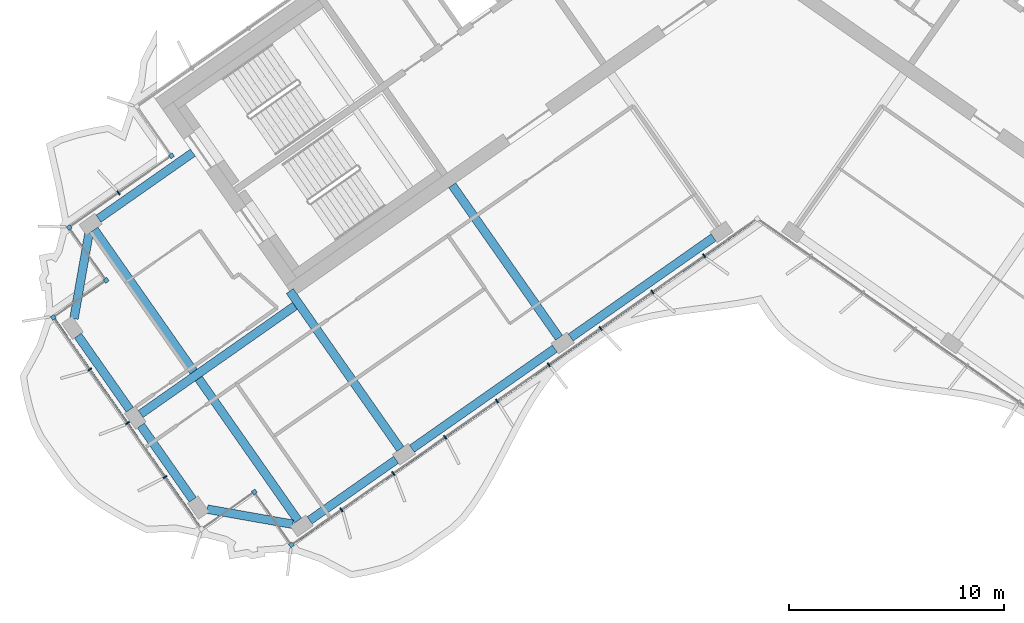
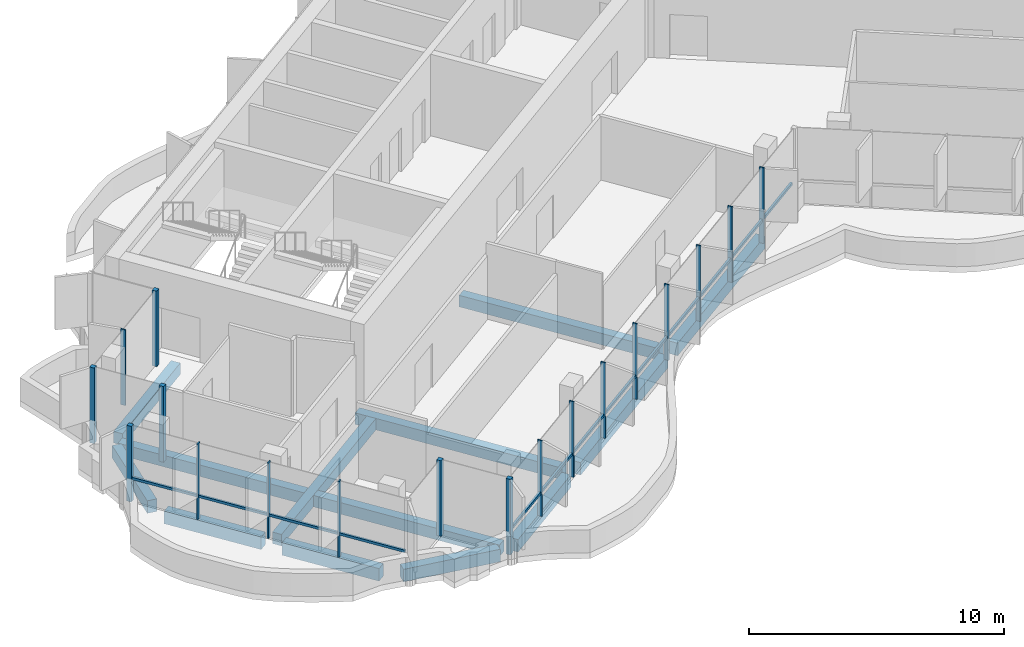
# One storey, part 2 of 17: 20 members, 12 beams, 2 elements without a shape of their own.
"""IFC4 building model written with IfcOpenShell, lengths in metres."""

from ifc_helpers import new_model, si_unit, direction, frame, origin, origin_2d, place, context, subcontext, project, spatial, rectangle, extrude, material, material_profile, profile_set, type_object, element, aggregate, save


model = new_model("IFC4")

# Units and contexts
model_context = context("Model", 3, precision=1e-05, world=origin(), true_north=direction((0.0, 1.0)))
body_context = subcontext(model_context, "Body", "Model", "MODEL_VIEW")
ifc_project = project(units=[si_unit("LENGTHUNIT", "METRE"), si_unit("AREAUNIT", "SQUARE_METRE"), si_unit("VOLUMEUNIT", "CUBIC_METRE"), si_unit("PLANEANGLEUNIT", "RADIAN"), si_unit("MASSUNIT", "GRAM", prefix="KILO")], contexts=[model_context])

# Site, building, storey
site_placement = place(None, origin())
site = spatial("IfcSite", under=ifc_project, at=site_placement, CompositionType="ELEMENT")
building_placement = place(site_placement, origin())
building = spatial("IfcBuilding", under=site, at=building_placement, Name="Tel Ilan Convention Tower", CompositionType="ELEMENT")
storey_placement = place(building_placement, frame((0.0, 0.0, 287.800048828125)))
storey = spatial("IfcBuildingStorey", under=building, at=storey_placement, Name="L68", CompositionType="ELEMENT", Elevation=287.800048828125)

# Beams
ifc_material_1 = material(Name="Concrete C40/50", Category="concrete")
ifc_material_profile_1 = material_profile(ifc_material_1, rectangle(XDim=0.39990234375, YDim=0.550048828125, at=origin_2d()), Name="RC 400x550")
ifc_profile_set_1 = profile_set([ifc_material_profile_1], Name="Concrete C40/50")
beam_type_1 = type_object("IfcBeamType", Name="Beam RC 400x550 Concrete C40/50", PredefinedType="BEAM", material=ifc_profile_set_1)
beam_1_placement = place(storey_placement, frame((-30.6005859375, -12.6982421875, -0.554931640625), z_axis=(0.819146154531, 0.573584847705, 0.0), x_axis=(-0.573584847705, 0.819146154531, 0.0)))
element("IfcBeam", 1, at=beam_1_placement, inside=storey, type_object=beam_type_1, Name="L68 beam W-W-BC-core", PredefinedType="BEAM", context=body_context, shape_type="SweptSolid", body=[
    extrude(rectangle(XDim=0.39990234375, YDim=0.550048828125, at=origin_2d()), origin(), (0.0, 0.0, 1.0), 5.349853515625),
])
beam_2_placement = place(storey_placement, frame((-9.209716796875, -18.229248046875, -0.554931640625), z_axis=(-0.573574099654, 0.819153680457, 0.0), x_axis=(-0.819153680457, -0.573574099654, 0.0)))
element("IfcBeam", 2, at=beam_2_placement, inside=storey, type_object=beam_type_1, Name="L68 beam W-W-F2-core", PredefinedType="BEAM", context=body_context, shape_type="SweptSolid", body=[
    extrude(rectangle(XDim=0.39990234375, YDim=0.550048828125, at=origin_2d()), origin(), (0.0, 0.0, 1.0), 8.64990234375),
])
beam_3_placement = place(storey_placement, frame((-16.58203125, -23.391357421875, -0.554931640625), z_axis=(-0.573584999642, 0.819146048141, 0.0), x_axis=(-0.819146048141, -0.573584999642, 0.0)))
element("IfcBeam", 3, at=beam_3_placement, inside=storey, type_object=beam_type_1, Name="L68 beam W-W-F3-core", PredefinedType="BEAM", context=body_context, shape_type="SweptSolid", body=[
    extrude(rectangle(XDim=0.39990234375, YDim=0.550048828125, at=origin_2d()), origin(), (0.0, 0.0, 1.0), 8.949951171875),
])
beam_4_placement = place(storey_placement, frame((-21.477783203125, -16.748046875, -0.554931640625), z_axis=(-0.819157197737, -0.573569076395, 0.0), x_axis=(0.573569076395, -0.819157197737, 0.0)))
element("IfcBeam", 4, at=beam_4_placement, inside=storey, type_object=beam_type_1, Name="L68 beam W-core-end", PredefinedType="BEAM", context=body_context, shape_type="SweptSolid", body=[
    extrude(rectangle(XDim=0.39990234375, YDim=0.550048828125, at=origin_2d()), origin(), (0.0, 0.0, 1.0), 8.75),
])
beam_5_placement = place(storey_placement, frame((-21.333251953125, -26.718017578125, -0.554931640625), z_axis=(-0.573574554643, 0.819153361872, 0.0), x_axis=(-0.819153361872, -0.573574554643, 0.0)))
element("IfcBeam", 5, at=beam_5_placement, inside=storey, type_object=beam_type_1, Name="L68 beam W-W-FC-W-BC", PredefinedType="BEAM", context=body_context, shape_type="SweptSolid", body=[
    extrude(rectangle(XDim=0.39990234375, YDim=0.550048828125, at=origin_2d()), origin(), (0.0, 0.0, 1.0), 16.499755859375),
])
ifc_material_2 = material(Name="Concrete C40/50", Category="concrete")
ifc_material_profile_2 = material_profile(ifc_material_2, rectangle(XDim=0.39990234375, YDim=0.60009765625, at=origin_2d()), Name="RC 400x600")
ifc_profile_set_2 = profile_set([ifc_material_profile_2], Name="Concrete C40/50")
beam_type_2 = type_object("IfcBeamType", Name="Beam RC 400x600 Concrete C40/50", PredefinedType="BEAM", material=ifc_profile_set_2)
beam_6_placement = place(storey_placement, frame((-2.033935546875, -13.57080078125, -0.580078125), z_axis=(-0.81914553362, -0.573585734437, 0.0), x_axis=(0.573585734437, -0.81914553362, 0.0)))
element("IfcBeam", 6, at=beam_6_placement, inside=storey, type_object=beam_type_2, Name="L68 beam W-W-F1-W-F2", PredefinedType="BEAM", context=body_context, shape_type="SweptSolid", body=[
    extrude(rectangle(XDim=0.39990234375, YDim=0.60009765625, at=origin_2d()), origin(), (0.0, 0.0, 1.0), 8.099853515625),
])
beam_7_placement = place(storey_placement, frame((-9.40625, -18.73291015625, -0.580078125), z_axis=(-0.819155449703, -0.573571572885, 0.0), x_axis=(0.573571572885, -0.819155449703, 0.0)))
element("IfcBeam", 7, at=beam_7_placement, inside=storey, type_object=beam_type_2, Name="L68 beam W-W-F2-W-F3", PredefinedType="BEAM", context=body_context, shape_type="SweptSolid", body=[
    extrude(rectangle(XDim=0.39990234375, YDim=0.60009765625, at=origin_2d()), origin(), (0.0, 0.0, 1.0), 8.10009765625),
])
beam_8_placement = place(storey_placement, frame((-16.778564453125, -23.895263671875, -0.580078125), z_axis=(-0.819154669329, -0.573572687386, 0.0), x_axis=(0.573572687386, -0.819154669329, 0.0)))
element("IfcBeam", 8, at=beam_8_placement, inside=storey, type_object=beam_type_2, Name="L68 beam W-W-F3-W-FC", PredefinedType="BEAM", context=body_context, shape_type="SweptSolid", body=[
    extrude(rectangle(XDim=0.39990234375, YDim=0.60009765625, at=origin_2d()), origin(), (0.0, 0.0, 1.0), 4.900146484375),
])
beam_9_placement = place(storey_placement, frame((-21.578857421875, -26.89013671875, -0.580078125), z_axis=(-0.984804894423, 0.173664388751, 0.0), x_axis=(-0.173664388751, -0.984804894423, 0.0)))
element("IfcBeam", 9, at=beam_9_placement, inside=storey, type_object=beam_type_2, Name="L68 beam W-W-FC-W-E1", PredefinedType="BEAM", context=body_context, shape_type="SweptSolid", body=[
    extrude(rectangle(XDim=0.39990234375, YDim=0.60009765625, at=origin_2d()), origin(), (0.0, 0.0, 1.0), 4.030517578125),
])
for number, where, z_axis, x_axis, name in (
    (10, (-26.22412109375, -25.748046875, -0.580078125), (-0.573563773994, 0.819160910421, 0.0), (-0.819160910421, -0.573563773994, 0.0), "L68 beam W-W-E1-W-E2"),
    (11, (-29.1494140625, -21.5703125, -0.580078125), (-0.573563773994, 0.819160910421, 0.0), (-0.819160910421, -0.573563773994, 0.0), "L68 beam W-W-E2-W-E3"),
):
    element("IfcBeam", number, at=place(storey_placement, frame(where, z_axis=z_axis, x_axis=x_axis)), inside=storey, type_object=beam_type_2, Name=name, PredefinedType="BEAM", context=body_context, shape_type="SweptSolid", body=[
        extrude(rectangle(XDim=0.39990234375, YDim=0.60009765625, at=origin_2d()), origin(), (0.0, 0.0, 1.0), 4.199951171875),
    ])
beam_10_placement = place(storey_placement, frame((-31.742919921875, -17.343505859375, -0.580078125), z_axis=(0.173664388751, 0.984804894423, 0.0), x_axis=(-0.984804894423, 0.173664388751, 0.0)))
element("IfcBeam", 12, at=beam_10_placement, inside=storey, type_object=beam_type_2, Name="L68 beam W-W-E3-W-BC", PredefinedType="BEAM", context=body_context, shape_type="SweptSolid", body=[
    extrude(rectangle(XDim=0.39990234375, YDim=0.60009765625, at=origin_2d()), origin(), (0.0, 0.0, 1.0), 4.030517578125),
])

# Curtain wall, member
ifc_material_3 = material(Name="Aluminium, bronze anodised", Category="aluminium")
curtain_wall_type_1 = type_object("IfcCurtainWallType", Name="CW2 STICK CURTAIN WALL, SPANDREL PANELS", PredefinedType="NOTDEFINED", material=ifc_material_3)
curtain_wall_1_placement = place(storey_placement, origin())
curtain_wall_1 = element("IfcCurtainWall", 13, at=curtain_wall_1_placement, inside=storey, type_object=curtain_wall_type_1, Name="Curtain wall CW2-51.01", PredefinedType="NOTDEFINED")
ifc_material_4 = material(Name="Aluminium, bronze anodised", Category="aluminium")
ifc_material_profile_3 = material_profile(ifc_material_4, rectangle(XDim=0.199951171875, YDim=0.199951171875, at=origin_2d()), Name="CW CORNER MULLION 200x200")
ifc_profile_set_3 = profile_set([ifc_material_profile_3], Name="Aluminium, bronze anodised")
member_type_1 = type_object("IfcMemberType", Name="CW CORNER MULLION 200x200", PredefinedType="MULLION", material=ifc_profile_set_3)
member_1_placement = place(storey_placement, frame((-27.213623046875, -9.77734375, 0.0), z_axis=(0.0, 0.0, 1.0), x_axis=(0.573576436351, -0.819152044289, 0.0)))
member_1 = element("IfcMember", 14, at=member_1_placement, type_object=member_type_1, Name="Corner mullion", PredefinedType="MULLION", context=body_context, shape_type="SweptSolid", body=[
    extrude(rectangle(XDim=0.199951171875, YDim=0.199951171875, at=origin_2d()), origin(), (0.0, 0.0, 1.0), 3.619873046875),
])
aggregate(curtain_wall_1, [member_1])

# Curtain wall, members
ifc_material_5 = material(Name="Aluminium, bronze anodised", Category="aluminium")
curtain_wall_type_2 = type_object("IfcCurtainWallType", Name="CW5 STICK CURTAIN WALL, UPPER OFFICE LOW-IRON TINTED GLASS", PredefinedType="NOTDEFINED", material=ifc_material_5)
curtain_wall_2_placement = place(storey_placement, origin())
curtain_wall_2 = element("IfcCurtainWall", 15, at=curtain_wall_2_placement, inside=storey, type_object=curtain_wall_type_2, Name="Curtain wall CW5-51.02", PredefinedType="NOTDEFINED")
member_2_placement = place(storey_placement, frame((-31.964599609375, -13.10400390625, 0.0), z_axis=(0.0, 0.0, 1.0), x_axis=(-0.819152044289, -0.573576436351, 0.0)))
member_2 = element("IfcMember", 16, at=member_2_placement, type_object=member_type_1, Name="Corner mullion", PredefinedType="MULLION", context=body_context, shape_type="SweptSolid", body=[
    extrude(rectangle(XDim=0.199951171875, YDim=0.199951171875, at=origin_2d()), origin(), (0.0, 0.0, 1.0), 3.619873046875),
])
member_3_placement = place(storey_placement, frame((-30.243896484375, -15.5615234375, 0.0), z_axis=(0.0, 0.0, 1.0), x_axis=(0.573576436351, -0.819152044289, 0.0)))
member_3 = element("IfcMember", 17, at=member_3_placement, type_object=member_type_1, Name="Corner mullion", PredefinedType="MULLION", context=body_context, shape_type="SweptSolid", body=[
    extrude(rectangle(XDim=0.199951171875, YDim=0.199951171875, at=origin_2d()), origin(), (0.0, 0.0, 1.0), 3.619873046875),
])
member_4_placement = place(storey_placement, frame((-32.701416015625, -17.2822265625, 0.0), z_axis=(0.0, 0.0, 1.0), x_axis=(-0.819152044289, -0.573576436351, 0.0)))
member_4 = element("IfcMember", 18, at=member_4_placement, type_object=member_type_1, Name="Corner mullion", PredefinedType="MULLION", context=body_context, shape_type="SweptSolid", body=[
    extrude(rectangle(XDim=0.199951171875, YDim=0.199951171875, at=origin_2d()), origin(), (0.0, 0.0, 1.0), 3.619873046875),
])
member_5_placement = place(storey_placement, frame((-23.36083984375, -25.391357421875, 0.0), z_axis=(0.0, 0.0, 1.0), x_axis=(0.819152044289, 0.573576436351, 0.0)))
member_5 = element("IfcMember", 19, at=member_5_placement, type_object=member_type_1, Name="Corner mullion", PredefinedType="MULLION", context=body_context, shape_type="SweptSolid", body=[
    extrude(rectangle(XDim=0.199951171875, YDim=0.199951171875, at=origin_2d()), origin(), (0.0, 0.0, 1.0), 3.619873046875),
])
member_6_placement = place(storey_placement, frame((-21.64013671875, -27.8486328125, 0.0), z_axis=(0.0, 0.0, 1.0), x_axis=(0.573576436351, -0.819152044289, 0.0)))
member_6 = element("IfcMember", 20, at=member_6_placement, type_object=member_type_1, Name="Corner mullion", PredefinedType="MULLION", context=body_context, shape_type="SweptSolid", body=[
    extrude(rectangle(XDim=0.199951171875, YDim=0.199951171875, at=origin_2d()), origin(), (0.0, 0.0, 1.0), 3.619873046875),
])
ifc_material_6 = material(Name="Aluminium, bronze anodised", Category="aluminium")
ifc_material_profile_4 = material_profile(ifc_material_6, rectangle(XDim=0.06005859375, YDim=0.199951171875, at=origin_2d()), Name="CW MULLION 60x200")
ifc_profile_set_4 = profile_set([ifc_material_profile_4], Name="Aluminium, bronze anodised")
member_type_2 = type_object("IfcMemberType", Name="CW MULLION 60x200", PredefinedType="MULLION", material=ifc_profile_set_4)
member_7_placement = place(storey_placement, frame((-29.6708984375, -11.498046875, 0.0), z_axis=(0.0, 0.0, 1.0), x_axis=(-0.819152044289, -0.573576436351, 0.0)))
member_7 = element("IfcMember", 21, at=member_7_placement, type_object=member_type_2, Name="Mullion", PredefinedType="MULLION", context=body_context, shape_type="SweptSolid", body=[
    extrude(rectangle(XDim=0.06005859375, YDim=0.199951171875, at=origin_2d()), origin(), (0.0, 0.0, 1.0), 3.619873046875),
])
member_8_placement = place(storey_placement, frame((-31.00927734375, -19.69873046875, 0.0), z_axis=(0.0, 0.0, 1.0), x_axis=(0.573576436351, -0.819152044289, 0.0)))
member_8 = element("IfcMember", 22, at=member_8_placement, type_object=member_type_2, Name="Mullion", PredefinedType="MULLION", context=body_context, shape_type="SweptSolid", body=[
    extrude(rectangle(XDim=0.06005859375, YDim=0.199951171875, at=origin_2d()), origin(), (0.0, 0.0, 1.0), 3.619873046875),
])
member_9_placement = place(storey_placement, frame((-29.259765625, -22.197021484375, 0.0), z_axis=(0.0, 0.0, 1.0), x_axis=(0.573576436351, -0.819152044289, 0.0)))
member_9 = element("IfcMember", 23, at=member_9_placement, type_object=member_type_2, Name="Mullion", PredefinedType="MULLION", context=body_context, shape_type="SweptSolid", body=[
    extrude(rectangle(XDim=0.06005859375, YDim=0.199951171875, at=origin_2d()), origin(), (0.0, 0.0, 1.0), 3.619873046875),
])
member_10_placement = place(storey_placement, frame((-27.510498046875, -24.695556640625, 0.0), z_axis=(0.0, 0.0, 1.0), x_axis=(0.573576436351, -0.819152044289, 0.0)))
member_10 = element("IfcMember", 24, at=member_10_placement, type_object=member_type_2, Name="Mullion", PredefinedType="MULLION", context=body_context, shape_type="SweptSolid", body=[
    extrude(rectangle(XDim=0.06005859375, YDim=0.199951171875, at=origin_2d()), origin(), (0.0, 0.0, 1.0), 3.619873046875),
])
member_11_placement = place(storey_placement, frame((-19.31494140625, -26.220458984375, 0.0), z_axis=(0.0, 0.0, 1.0), x_axis=(0.819152044289, 0.573576436351, 0.0)))
member_11 = element("IfcMember", 25, at=member_11_placement, type_object=member_type_2, Name="Mullion", PredefinedType="MULLION", context=body_context, shape_type="SweptSolid", body=[
    extrude(rectangle(XDim=0.06005859375, YDim=0.199951171875, at=origin_2d()), origin(), (0.0, 0.0, 1.0), 3.619873046875),
])
member_12_placement = place(storey_placement, frame((-16.90771484375, -24.534912109375, 0.0), z_axis=(0.0, 0.0, 1.0), x_axis=(0.819152044289, 0.573576436351, 0.0)))
member_12 = element("IfcMember", 26, at=member_12_placement, type_object=member_type_2, Name="Mullion", PredefinedType="MULLION", context=body_context, shape_type="SweptSolid", body=[
    extrude(rectangle(XDim=0.06005859375, YDim=0.199951171875, at=origin_2d()), origin(), (0.0, 0.0, 1.0), 3.619873046875),
])
member_13_placement = place(storey_placement, frame((-14.50048828125, -22.849365234375, 0.0), z_axis=(0.0, 0.0, 1.0), x_axis=(0.819152044289, 0.573576436351, 0.0)))
member_13 = element("IfcMember", 27, at=member_13_placement, type_object=member_type_2, Name="Mullion", PredefinedType="MULLION", context=body_context, shape_type="SweptSolid", body=[
    extrude(rectangle(XDim=0.06005859375, YDim=0.199951171875, at=origin_2d()), origin(), (0.0, 0.0, 1.0), 3.619873046875),
])
member_14_placement = place(storey_placement, frame((-12.09326171875, -21.163818359375, 0.0), z_axis=(0.0, 0.0, 1.0), x_axis=(0.819152044289, 0.573576436351, 0.0)))
member_14 = element("IfcMember", 28, at=member_14_placement, type_object=member_type_2, Name="Mullion", PredefinedType="MULLION", context=body_context, shape_type="SweptSolid", body=[
    extrude(rectangle(XDim=0.06005859375, YDim=0.199951171875, at=origin_2d()), origin(), (0.0, 0.0, 1.0), 3.619873046875),
])
member_15_placement = place(storey_placement, frame((-9.68603515625, -19.478271484375, 0.0), z_axis=(0.0, 0.0, 1.0), x_axis=(0.819152044289, 0.573576436351, 0.0)))
member_15 = element("IfcMember", 29, at=member_15_placement, type_object=member_type_2, Name="Mullion", PredefinedType="MULLION", context=body_context, shape_type="SweptSolid", body=[
    extrude(rectangle(XDim=0.06005859375, YDim=0.199951171875, at=origin_2d()), origin(), (0.0, 0.0, 1.0), 3.619873046875),
])
member_16_placement = place(storey_placement, frame((-7.279052734375, -17.792724609375, 0.0), z_axis=(0.0, 0.0, 1.0), x_axis=(0.819152044289, 0.573576436351, 0.0)))
member_16 = element("IfcMember", 30, at=member_16_placement, type_object=member_type_2, Name="Mullion", PredefinedType="MULLION", context=body_context, shape_type="SweptSolid", body=[
    extrude(rectangle(XDim=0.06005859375, YDim=0.199951171875, at=origin_2d()), origin(), (0.0, 0.0, 1.0), 3.619873046875),
])
member_17_placement = place(storey_placement, frame((-4.871826171875, -16.107177734375, 0.0), z_axis=(0.0, 0.0, 1.0), x_axis=(0.819152044289, 0.573576436351, 0.0)))
member_17 = element("IfcMember", 31, at=member_17_placement, type_object=member_type_2, Name="Mullion", PredefinedType="MULLION", context=body_context, shape_type="SweptSolid", body=[
    extrude(rectangle(XDim=0.06005859375, YDim=0.199951171875, at=origin_2d()), origin(), (0.0, 0.0, 1.0), 3.619873046875),
])
member_18_placement = place(storey_placement, frame((-2.464599609375, -14.421875, 0.0), z_axis=(0.0, 0.0, 1.0), x_axis=(0.819152044289, 0.573576436351, 0.0)))
member_18 = element("IfcMember", 32, at=member_18_placement, type_object=member_type_2, Name="Mullion", PredefinedType="MULLION", context=body_context, shape_type="SweptSolid", body=[
    extrude(rectangle(XDim=0.06005859375, YDim=0.199951171875, at=origin_2d()), origin(), (0.0, 0.0, 1.0), 3.619873046875),
])
ifc_material_7 = material(Name="Aluminium, bronze anodised", Category="aluminium")
ifc_material_profile_5 = material_profile(ifc_material_7, rectangle(XDim=0.10009765625, YDim=0.1201171875, at=origin_2d()), Name="CW TRANSOM 100x120")
ifc_profile_set_5 = profile_set([ifc_material_profile_5], Name="Aluminium, bronze anodised")
member_type_3 = type_object("IfcMemberType", Name="CW TRANSOM 100x120", PredefinedType="USERDEFINED", material=ifc_profile_set_5)
member_19_placement = place(storey_placement, frame((-32.64404296875, -17.364013671875, 1.099853515625), z_axis=(0.573581755582, -0.819148319698, 0.0), x_axis=(0.819148319698, 0.573581755582, 0.0)))
member_19 = element("IfcMember", 33, at=member_19_placement, type_object=member_type_3, Name="Transom", ObjectType="TRANSOM", PredefinedType="USERDEFINED", context=body_context, shape_type="SweptSolid", body=[
    extrude(rectangle(XDim=0.10009765625, YDim=0.1201171875, at=origin_2d()), origin(), (0.0, 0.0, 1.0), 11.800048828125),
])
member_20_placement = place(storey_placement, frame((-21.558349609375, -27.791259765625, 1.099853515625), z_axis=(0.819152212587, 0.573576195996, 0.0), x_axis=(-0.573576195996, 0.819152212587, 0.0)))
member_20 = element("IfcMember", 34, at=member_20_placement, type_object=member_type_3, Name="Transom", ObjectType="TRANSOM", PredefinedType="USERDEFINED", context=body_context, shape_type="SweptSolid", body=[
    extrude(rectangle(XDim=0.10009765625, YDim=0.1201171875, at=origin_2d()), origin(), (0.0, 0.0, 1.0), 26.0478515625),
])
aggregate(curtain_wall_2, [member_7, member_2, member_3, member_4, member_8, member_9, member_10, member_19, member_5, member_6, member_11, member_12, member_13, member_14, member_15, member_16, member_17, member_18, member_20])

save(model, "model.ifc")
